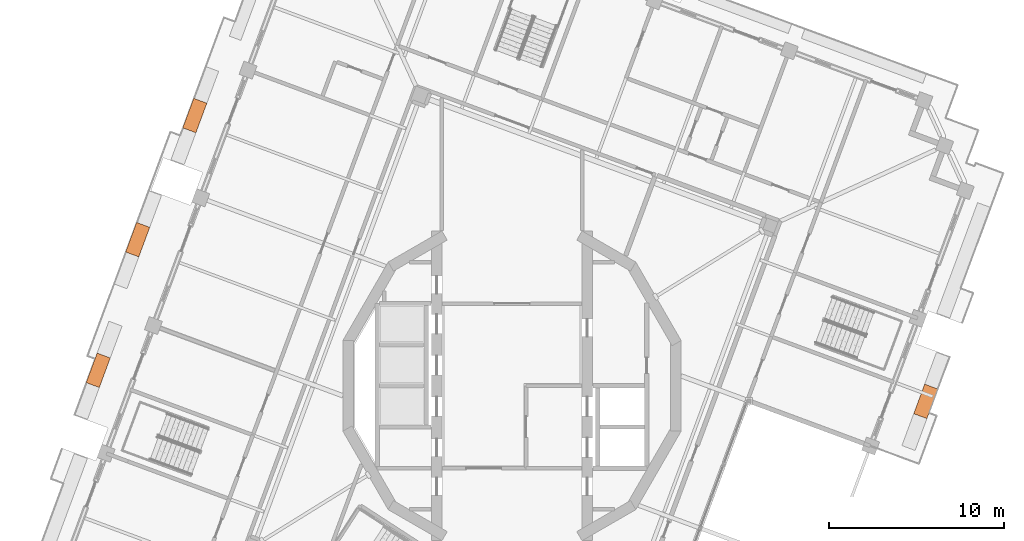
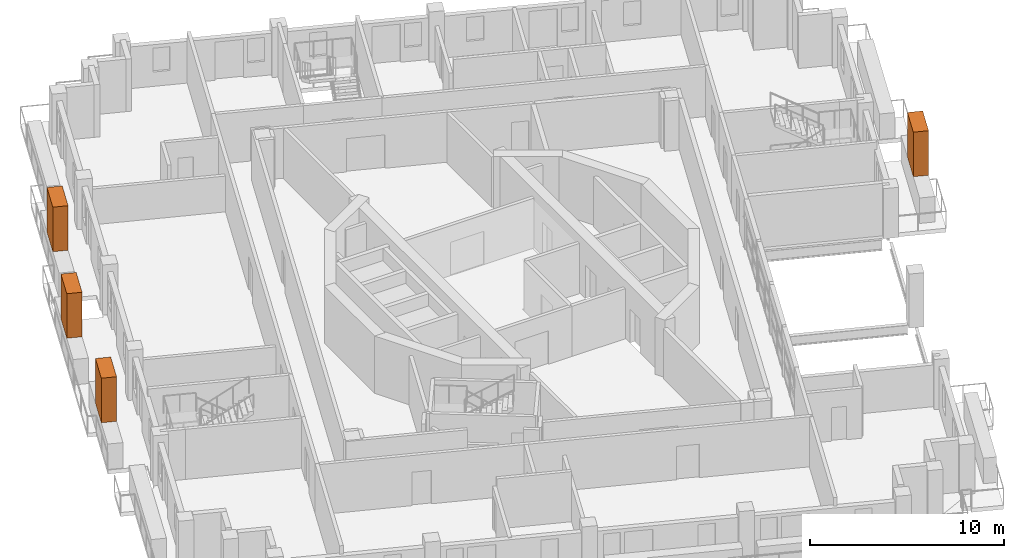
# One storey, part 19 of 19: 4 proxies.
"""IFC4 building model written with IfcOpenShell, lengths in metres."""

from ifc_helpers import new_model, si_unit, direction, frame, origin, origin_2d, place, context, subcontext, project, spatial, rectangle, extrude, element, save


model = new_model("IFC4")

# Units and contexts
model_context = context("Model", 3, precision=1e-05, world=origin(), true_north=direction((0.0, 1.0)))
body_context = subcontext(model_context, "Body", "Model", "MODEL_VIEW")
ifc_project = project(units=[si_unit("LENGTHUNIT", "METRE"), si_unit("AREAUNIT", "SQUARE_METRE"), si_unit("VOLUMEUNIT", "CUBIC_METRE"), si_unit("PLANEANGLEUNIT", "RADIAN"), si_unit("MASSUNIT", "GRAM", prefix="KILO")], contexts=[model_context])

# Site, building, storey
site_placement = place(None, origin())
site = spatial("IfcSite", under=ifc_project, at=site_placement, CompositionType="ELEMENT")
building_placement = place(site_placement, origin())
building = spatial("IfcBuilding", under=site, at=building_placement, Name="Cantera Rosa Tower", CompositionType="ELEMENT")
storey_placement = place(building_placement, frame((0.0, 0.0, 342.10009765625)))
storey = spatial("IfcBuildingStorey", under=building, at=storey_placement, Name="L77", CompositionType="ELEMENT", Elevation=342.10009765625)

# Proxies
for number, where, z_axis, x_axis, name in (
    (1, (-18.1162109375, 15.43701171875, 1.60009765625), (0.0, 0.0, 1.0), (-0.347481234489, -0.937686936924, 0.0), "TREE L77-06"),
    (2, (-21.37841796875, 8.348876953125, 1.60009765625), (0.0, 0.0, 1.0), (-0.347481234489, -0.937686936924, 0.0), "TREE L77-07"),
    (3, (-23.633056640625, 0.887451171875, 1.60009765625), (0.0, 0.0, 1.0), (-0.347481234489, -0.937686936924, 0.0), "TREE L77-08"),
    (4, (23.633056640625, -0.887451171875, 1.60009765625), (0.0, 0.0, 1.0), (0.347481234489, 0.937686936924, 0.0), "TREE L77-17"),
):
    element("IfcBuildingElementProxy", number, at=place(storey_placement, frame(where, z_axis=z_axis, x_axis=x_axis)), inside=storey, Name=name, ObjectType="TREE", PredefinedType="USERDEFINED", context=body_context, shape_type="SweptSolid", body=[
        extrude(rectangle(XDim=1.800048828125, YDim=0.800048828125, at=origin_2d()), origin(), (0.0, 0.0, 1.0), 2.800048828125),
    ])

save(model, "model.ifc")
